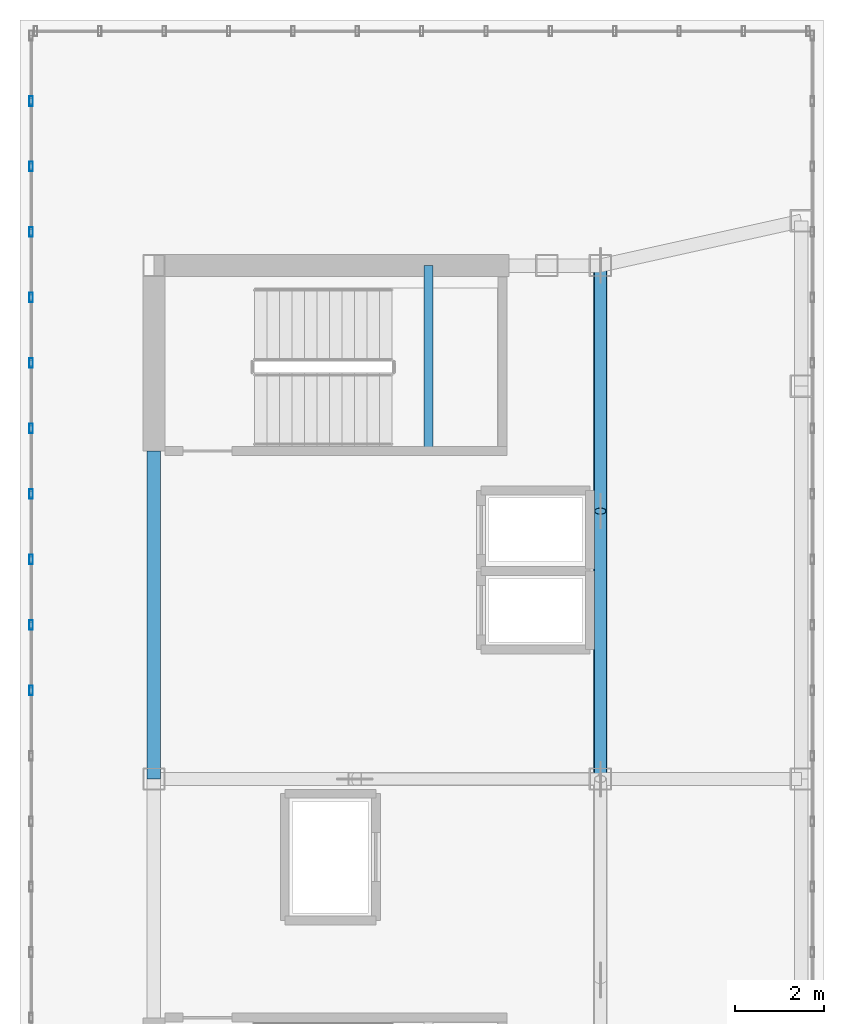
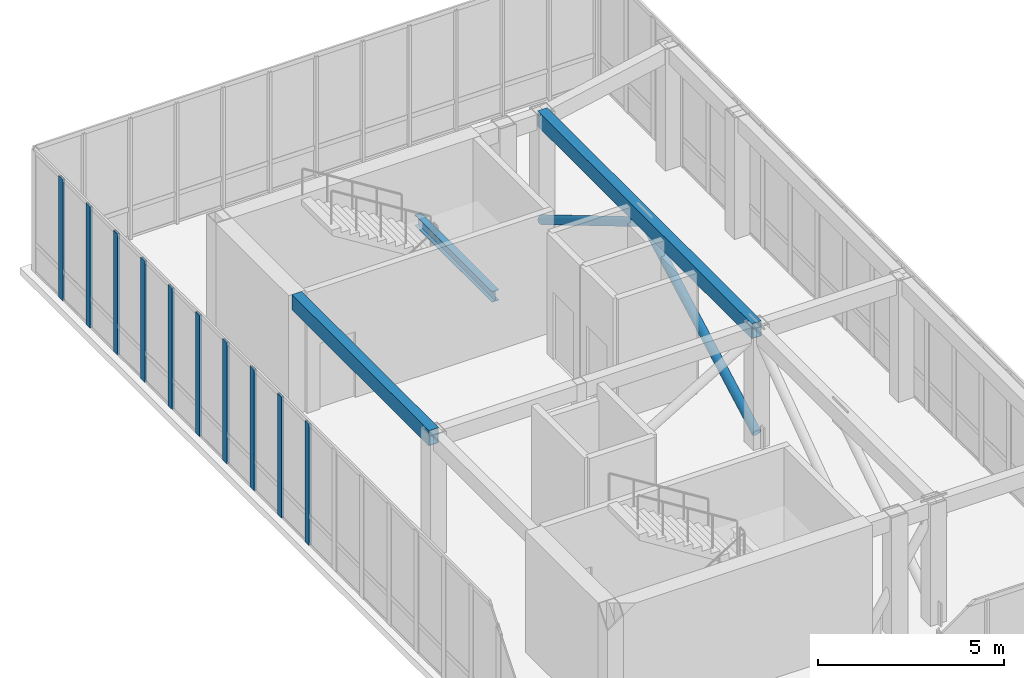
# One storey, part 8 of 13: 12 members, 3 beams, 1 element without a shape of its own.
"""IFC4 building model written with IfcOpenShell, lengths in metres."""

import ifcopenshell
import ifcopenshell.guid

model = None  # the IFC model being written
_history = None  # IfcOwnerHistory: only IFC2X3 demands one
_inside = {}  # id of a spatial element -> (the spatial element, [elements in it])
_under = {}  # id of a project, library or spatial element -> (it, [spatial elements below it])
_declared = {}  # id of a project -> (the project, [libraries it declares])
_typed = {}  # id of a type object -> (the type object, [elements of that type])
_made_of = {}  # id of a material, layer set ... -> (it, [elements and type objects made of it])


def new_model(schema):
    """Start an empty IFC model of exactly this schema.

    Asked for "IFC4X3", IfcOpenShell would pick the latest addendum, in which some entities
    have other attributes; the version numbers below select the first issue.
    IFC2X3 requires an IfcOwnerHistory on every rooted entity: one is made here for all.
    """
    global model, _history
    if schema == "IFC4X3":
        model = ifcopenshell.file(schema_version=(4, 3, 0, 0))
    else:
        model = ifcopenshell.file(schema=schema)
    _inside.clear()
    _under.clear()
    _declared.clear()
    _typed.clear()
    _made_of.clear()
    _history = None
    if model.schema == "IFC2X3":
        org = make("IfcOrganization", Name="unknown")
        user = make(
            "IfcPersonAndOrganization",
            ThePerson=make("IfcPerson", FamilyName="unknown"),
            TheOrganization=org,
        )
        app = make(
            "IfcApplication",
            ApplicationDeveloper=org,
            Version="unknown",
            ApplicationFullName="unknown",
            ApplicationIdentifier="unknown",
        )
        _history = make(
            "IfcOwnerHistory",
            OwningUser=user,
            OwningApplication=app,
            ChangeAction="ADDED",
            CreationDate=0,
        )
    return model


def make(cls, **values):
    """One entity of the class cls with the attributes given. An attribute that is None is left unset."""
    return model.create_entity(
        cls, **{name: value for name, value in values.items() if value is not None}
    )


def rooted(cls, **values):
    """An entity with a GlobalId (a new one), such as an element, a storey or a relation."""
    return make(cls, GlobalId=ifcopenshell.guid.new(), OwnerHistory=_history, **values)


def si_unit(unit_type, name, prefix=None):
    """IfcSIUnit, for example si_unit("LENGTHUNIT", "METRE", prefix="MILLI")."""
    return make("IfcSIUnit", UnitType=unit_type, Prefix=prefix, Name=name)


def assignment(units):
    """IfcUnitAssignment: the units of a project."""
    return None if units is None else make("IfcUnitAssignment", Units=units)


def point(xyz):
    """IfcCartesianPoint."""
    return None if xyz is None else make("IfcCartesianPoint", Coordinates=xyz)


def direction(xyz):
    """IfcDirection."""
    return None if xyz is None else make("IfcDirection", DirectionRatios=xyz)


def frame(location, z_axis=None, x_axis=None):
    """IfcAxis2Placement3D, a coordinate frame: its origin and axes. An axis left out is left unset."""
    return make(
        "IfcAxis2Placement3D",
        Location=point(location),
        Axis=direction(z_axis),
        RefDirection=direction(x_axis),
    )


def frame_2d(location, x_axis=None):
    """IfcAxis2Placement2D, a coordinate frame in the plane: its origin and x axis."""
    return make(
        "IfcAxis2Placement2D", Location=point(location), RefDirection=direction(x_axis)
    )


def origin():
    """The frame at (0, 0, 0) with its axes left unset."""
    return frame((0.0, 0.0, 0.0))


def origin_2d():
    """The frame at (0, 0) in the plane with its x axis left unset."""
    return frame_2d((0.0, 0.0))


def place(relative_to, where):
    """IfcLocalPlacement: puts the frame where relative to a parent placement (None: the world)."""
    return make(
        "IfcLocalPlacement", PlacementRelTo=relative_to, RelativePlacement=where
    )


def context(
    kind, dimensions, precision=None, world=None, true_north=None, identifier=None
):
    """IfcGeometricRepresentationContext, for example the 3D "Model" context."""
    return make(
        "IfcGeometricRepresentationContext",
        ContextIdentifier=identifier,
        ContextType=kind,
        CoordinateSpaceDimension=dimensions,
        Precision=precision,
        WorldCoordinateSystem=world,
        TrueNorth=true_north,
    )


def subcontext(parent, identifier, kind, view, scale=None):
    """IfcGeometricRepresentationSubContext, for example "Body" below "Model"."""
    return make(
        "IfcGeometricRepresentationSubContext",
        ContextIdentifier=identifier,
        ContextType=kind,
        ParentContext=parent,
        TargetScale=scale,
        TargetView=view,
    )


def project(units=None, contexts=None):
    """IfcProject with its units and contexts."""
    return rooted(
        "IfcProject",
        Name="project",
        RepresentationContexts=contexts,
        UnitsInContext=assignment(units),
    )


def spatial(cls, under=None, at=None, **own):
    """A site, building, storey or space (cls), placed at a placement, below another one or the project."""
    s = rooted(cls, ObjectPlacement=at, **own)
    if under is not None:
        _under.setdefault(under.id(), (under, []))[1].append(s)
    return s


def profile(cls, at=None, kind="AREA", **sizes):
    """A parametric profile (cls). Its sizes go by their IFC names, for example OverallWidth=200.0."""
    return make(cls, ProfileType=kind, Position=at, **sizes)


def hollow_rectangle(**sizes):
    """IfcRectangleHollowProfileDef."""
    return profile("IfcRectangleHollowProfileDef", **sizes)


def hollow_circle(**sizes):
    """IfcCircleHollowProfileDef."""
    return profile("IfcCircleHollowProfileDef", **sizes)


def i_section(**sizes):
    """IfcIShapeProfileDef."""
    return profile("IfcIShapeProfileDef", **sizes)


def extrude(swept, where, along, depth):
    """IfcExtrudedAreaSolid: the profile swept, set in the frame where, extruded along a direction by depth."""
    return make(
        "IfcExtrudedAreaSolid",
        SweptArea=swept,
        Position=where,
        ExtrudedDirection=direction(along),
        Depth=depth,
    )


def shape(context_of_items, identifier, shape_type, items):
    """IfcShapeRepresentation: the items that make up one representation, for example the "Body"."""
    return make(
        "IfcShapeRepresentation",
        ContextOfItems=context_of_items,
        RepresentationIdentifier=identifier,
        RepresentationType=shape_type,
        Items=items,
    )


def source(mapping_origin, context_of_items, identifier, shape_type, items):
    """IfcRepresentationMap: a shape defined once, which mapped items show again and again."""
    return make(
        "IfcRepresentationMap",
        MappingOrigin=mapping_origin,
        MappedRepresentation=shape(context_of_items, identifier, shape_type, items),
    )


def transform(
    local_origin,
    x_axis=None,
    y_axis=None,
    z_axis=None,
    scale=None,
    scale2=None,
    scale3=None,
    uniform=True,
):
    """IfcCartesianTransformationOperator3D, or its non-uniform kind. x_axis, y_axis, z_axis: its Axis1, 2, 3."""
    if uniform:
        return make(
            "IfcCartesianTransformationOperator3D",
            Axis1=direction(x_axis),
            Axis2=direction(y_axis),
            LocalOrigin=point(local_origin),
            Scale=scale,
            Axis3=direction(z_axis),
        )
    return make(
        "IfcCartesianTransformationOperator3DnonUniform",
        Axis1=direction(x_axis),
        Axis2=direction(y_axis),
        LocalOrigin=point(local_origin),
        Scale=scale,
        Axis3=direction(z_axis),
        Scale2=scale2,
        Scale3=scale3,
    )


def mapped(mapping_source, mapping_target):
    """IfcMappedItem: shows the shape of a source again, moved by a transform."""
    return make(
        "IfcMappedItem", MappingSource=mapping_source, MappingTarget=mapping_target
    )


def material(Name=None, Category=None):
    """IfcMaterial."""
    return make("IfcMaterial", Name=Name, Category=Category)


def layer(
    of_material, thickness, ventilated=None, Name=None, Category=None, Priority=None
):
    """IfcMaterialLayer: one layer of a wall or slab, of a material (None: an air gap)."""
    return make(
        "IfcMaterialLayer",
        Material=of_material,
        LayerThickness=thickness,
        IsVentilated=ventilated,
        Name=Name,
        Category=Category,
        Priority=Priority,
    )


def layer_set(layers, Name=None):
    """IfcMaterialLayerSet."""
    return make("IfcMaterialLayerSet", MaterialLayers=layers, LayerSetName=Name)


def material_profile(
    of_material, cross_section, Name=None, Category=None, Priority=None
):
    """IfcMaterialProfile: a cross section and its material."""
    return make(
        "IfcMaterialProfile",
        Name=Name,
        Material=of_material,
        Profile=cross_section,
        Priority=Priority,
        Category=Category,
    )


def profile_set(profiles, Name=None, composite=None):
    """IfcMaterialProfileSet."""
    return make(
        "IfcMaterialProfileSet",
        Name=Name,
        MaterialProfiles=profiles,
        CompositeProfile=composite,
    )


def made_of(thing, what):
    """Note that an element or type object is made of a material, layer set ...; save() writes the relation."""
    if what is not None:
        _made_of.setdefault(what.id(), (what, []))[1].append(thing)
    return thing


def type_object(cls, material=None, **own):
    """A type object (cls), such as IfcWallType, which elements share."""
    return made_of(rooted(cls, **own), material)


def element(
    cls,
    number,
    at=None,
    inside=None,
    cuts=None,
    type_object=None,
    material=None,
    context=None,
    identifier="Body",
    shape_type=None,
    held_by="IfcProductDefinitionShape",
    body=None,
    shapes=None,
    **own,
):
    """One element of the class cls, such as IfcWall. Its Tag is "e" and its number.

    at: its placement. inside: the storey or other place that contains it. cuts: it is an
    opening in that element (IfcRelVoidsElement). A single representation is given by context,
    identifier, shape_type and body (its items); several are given by shapes. held_by: the class
    of the entity that holds the representations. save() writes the other relations.
    """
    e = rooted(cls, Tag="e%d" % number, ObjectPlacement=at, **own)
    if body is not None:
        shapes = [shape(context, identifier, shape_type, body)]
    if shapes is not None:
        e.Representation = make(held_by, Representations=shapes)
    if inside is not None:
        _inside.setdefault(inside.id(), (inside, []))[1].append(e)
    if cuts is not None:
        rooted(
            "IfcRelVoidsElement", RelatingBuildingElement=cuts, RelatedOpeningElement=e
        )
    if type_object is not None:
        _typed.setdefault(type_object.id(), (type_object, []))[1].append(e)
    return made_of(e, material)


def aggregate(whole, parts):
    """IfcRelAggregates: a whole, such as a stair, and the parts it consists of."""
    return rooted("IfcRelAggregates", RelatingObject=whole, RelatedObjects=parts)


def save(model, path):
    """Write the relations noted so far, then the file.

    IfcRelAggregates (storeys below a building ...), IfcRelContainedInSpatialStructure (elements
    in a storey), IfcRelDefinesByType, IfcRelAssociatesMaterial and IfcRelDeclares: one each for
    every whole, place, type object, material and project.
    """
    for whole, parts in _under.values():
        aggregate(whole, parts)
    for where, things in _inside.values():
        rooted(
            "IfcRelContainedInSpatialStructure",
            RelatedElements=things,
            RelatingStructure=where,
        )
    for kind, things in _typed.values():
        rooted("IfcRelDefinesByType", RelatedObjects=things, RelatingType=kind)
    for what, things in _made_of.values():
        rooted("IfcRelAssociatesMaterial", RelatedObjects=things, RelatingMaterial=what)
    for by, libraries in _declared.values():
        rooted("IfcRelDeclares", RelatingContext=by, RelatedDefinitions=libraries)
    model.write(path)


model = new_model("IFC4")

# Units and contexts
model_context = context("Model", 3, precision=1e-05, world=origin(), true_north=direction((0.0, 1.0)))
body_context = subcontext(model_context, "Body", "Model", "MODEL_VIEW")
ifc_project = project(units=[si_unit("LENGTHUNIT", "METRE"), si_unit("AREAUNIT", "SQUARE_METRE"), si_unit("VOLUMEUNIT", "CUBIC_METRE"), si_unit("PLANEANGLEUNIT", "RADIAN"), si_unit("MASSUNIT", "GRAM", prefix="KILO")], contexts=[model_context])

# Site, building, storey
site_placement = place(None, origin())
site = spatial("IfcSite", under=ifc_project, at=site_placement, CompositionType="ELEMENT")
building_placement = place(site_placement, origin())
building = spatial("IfcBuilding", under=site, at=building_placement, Name="Kharzan Plaza Tower", CompositionType="ELEMENT")
storey_placement = place(building_placement, frame((0.0, 0.0, 285.60009765625)))
storey = spatial("IfcBuildingStorey", under=building, at=storey_placement, Name="L77-CROWN", CompositionType="ELEMENT", Elevation=285.60009765625)

# Beams
ifc_material_1 = material(Name="Steel S355", Category="steel")
ifc_material_profile_1 = material_profile(ifc_material_1, i_section(OverallWidth=0.205078125, OverallDepth=0.35400390625, WebThickness=0.009521484375, FlangeThickness=0.016845703125, at=origin_2d()), Name="W360x79")
ifc_profile_set_1 = profile_set([ifc_material_profile_1], Name="Steel S355")
beam_type_1 = type_object("IfcBeamType", Name="BM-LNT360", PredefinedType="LINTEL", material=ifc_profile_set_1)
shared_shape_1 = source(origin(), body_context, "Body", "SweptSolid", [
    extrude(i_section(OverallWidth=0.205078125, OverallDepth=0.35400390625, WebThickness=0.009521484375, FlangeThickness=0.016845703125, at=origin_2d()), origin(), (0.0, 0.0, 1.0), 4.155029296875),
])
beam_1_placement = place(storey_placement, frame((10.64990234375, 25.344970703125, 1.722900390625), z_axis=(0.0, 1.0, 0.0), x_axis=(-1.0, 0.0, 0.0)))
element("IfcBeam", 1, at=beam_1_placement, inside=storey, type_object=beam_type_1, Name="L77-CROWN Stair ST-2 Half-Landing Beam", PredefinedType="LINTEL", context=body_context, shape_type="MappedRepresentation", body=[
    mapped(shared_shape_1, transform((0.0, 0.0, 0.0), x_axis=(1.0, 0.0, 0.0), y_axis=(0.0, 1.0, 0.0), z_axis=(0.0, 0.0, 1.0))),
])
ifc_material_profile_2 = material_profile(ifc_material_1, hollow_rectangle(XDim=0.300048828125, YDim=0.5, WallThickness=0.02001953125, at=origin_2d()), Name="RHS500x300x20")
ifc_profile_set_2 = profile_set([ifc_material_profile_2], Name="Steel S355")
beam_type_2 = type_object("IfcBeamType", Name="BM-CRN500", PredefinedType="BEAM", material=ifc_profile_set_2)
shared_shape_2 = source(origin(), body_context, "Body", "SweptSolid", [
    extrude(hollow_rectangle(XDim=0.300048828125, YDim=0.5, WallThickness=0.02001953125, at=origin_2d()), origin(), (0.0, 0.0, 1.0), 11.5),
])
beam_2_placement = place(storey_placement, frame((14.5, 18.0, 3.719970703125), z_axis=(0.0, 1.0, 0.0), x_axis=(-1.0, 0.0, 0.0)))
element("IfcBeam", 2, at=beam_2_placement, inside=storey, type_object=beam_type_2, Name="L77-CROWN CROWN FRAME Lantern Ring Beam CRB-M2", PredefinedType="BEAM", context=body_context, shape_type="MappedRepresentation", body=[
    mapped(shared_shape_2, transform((0.0, 0.0, 0.0), x_axis=(1.0, 0.0, 0.0), y_axis=(0.0, 1.0, 0.0), z_axis=(0.0, 0.0, 1.0))),
])
shared_shape_3 = source(origin(), body_context, "Body", "SweptSolid", [
    extrude(hollow_rectangle(XDim=0.300048828125, YDim=0.5, WallThickness=0.02001953125, at=origin_2d()), origin(), (0.0, 0.0, 1.0), 7.35009765625),
])
beam_3_placement = place(storey_placement, frame((4.5, 18.0, 3.719970703125), z_axis=(0.0, 1.0, 0.0), x_axis=(-1.0, 0.0, 0.0)))
element("IfcBeam", 3, at=beam_3_placement, inside=storey, type_object=beam_type_2, Name="L77-CROWN CROWN FRAME Lantern Ring Beam CRB-W2", PredefinedType="BEAM", context=body_context, shape_type="MappedRepresentation", body=[
    mapped(shared_shape_3, transform((0.0, 0.0, 0.0), x_axis=(1.0, 0.0, 0.0), y_axis=(0.0, 1.0, 0.0), z_axis=(0.0, 0.0, 1.0))),
])

# Members
ifc_material_profile_3 = material_profile(ifc_material_1, hollow_circle(Radius=0.136474609375, WallThickness=0.010009765625, at=origin_2d()), Name="CHS273x10")
ifc_profile_set_3 = profile_set([ifc_material_profile_3], Name="Steel S355")
member_type_1 = type_object("IfcMemberType", Name="MEM-CRN-DIAG", PredefinedType="BRACE", material=ifc_profile_set_3)
shared_shape_4 = source(origin(), body_context, "Body", "SweptSolid", [
    extrude(hollow_circle(Radius=0.136474609375, WallThickness=0.010009765625, at=origin_2d()), origin(), (0.0, 0.0, 1.0), 6.833251953125),
])
member_1_placement = place(storey_placement, frame((14.5, 18.0, 0.349853515625), z_axis=(0.0, 0.878062100793, 0.478546703207), x_axis=(-1.0, 0.0, 0.0)))
element("IfcMember", 4, at=member_1_placement, inside=storey, type_object=member_type_1, Name="L77-CROWN CROWN FRAME Diagonal Wind Brace CRD-E1", PredefinedType="BRACE", context=body_context, shape_type="MappedRepresentation", body=[
    mapped(shared_shape_4, transform((0.0, 0.0, 0.0), x_axis=(1.0, 0.0, 0.0), y_axis=(0.0, 1.0, 0.0), z_axis=(0.0, 0.0, 1.0))),
])
shared_shape_5 = source(origin(), body_context, "Body", "SweptSolid", [
    extrude(hollow_circle(Radius=0.136474609375, WallThickness=0.010009765625, at=origin_2d()), origin(), (0.0, 0.0, 1.0), 6.398681640625),
])
member_2_placement = place(storey_placement, frame((14.5, 29.5, 0.349853515625), z_axis=(0.0, -0.859553101499, 0.511046441827), x_axis=(1.0, 0.0, 0.0)))
element("IfcMember", 5, at=member_2_placement, inside=storey, type_object=member_type_1, Name="L77-CROWN CROWN FRAME Diagonal Wind Brace CRD-N1", PredefinedType="BRACE", context=body_context, shape_type="MappedRepresentation", body=[
    mapped(shared_shape_5, transform((0.0, 0.0, 0.0), x_axis=(1.0, 0.0, 0.0), y_axis=(0.0, 1.0, 0.0), z_axis=(0.0, 0.0, 1.0))),
])

# Curtain wall, members
ifc_material_2 = material(Name="Unitised Bronze-Anodized Aluminium and Low-E Glass", Category="aluminium")
ifc_layer = layer(ifc_material_2, 0.199951171875)
ifc_layer_set = layer_set([ifc_layer], Name="Unitised Bronze-Anodized Aluminium and Low-E Glass")
curtain_wall_type = type_object("IfcCurtainWallType", Name="CW-LANTERN-6", PredefinedType="NOTDEFINED", material=ifc_layer_set)
curtain_wall_placement = place(storey_placement, origin())
curtain_wall = element("IfcCurtainWall", 6, at=curtain_wall_placement, inside=storey, type_object=curtain_wall_type, Name="L77-CROWN Lantern Crown Illuminated Curtain Wall 4", PredefinedType="NOTDEFINED")
ifc_material_3 = material(Name="Anodized Bronze Aluminium", Category="aluminium")
ifc_material_profile_4 = material_profile(ifc_material_3, hollow_rectangle(XDim=0.074951171875, YDim=0.219970703125, WallThickness=0.00390625, at=origin_2d()), Name="ALU-M220x75x4")
ifc_profile_set_4 = profile_set([ifc_material_profile_4], Name="Anodized Bronze Aluminium")
member_type_2 = type_object("IfcMemberType", Name="MEM-CW-MUL200", PredefinedType="MULLION", material=ifc_profile_set_4)
shared_shape_6 = source(origin(), body_context, "Body", "SweptSolid", [
    extrude(hollow_rectangle(XDim=0.074951171875, YDim=0.219970703125, WallThickness=0.00390625, at=origin_2d()), origin(), (0.0, 0.0, 1.0), 3.969970703125),
])
member_3_placement = place(storey_placement, frame((1.75, 33.183349609375, 0.0), z_axis=(0.0, 0.0, 1.0), x_axis=(1.0, 0.0, 0.0)))
member_3 = element("IfcMember", 7, at=member_3_placement, type_object=member_type_2, Name="L77-CROWN Curtain-Wall Mullion 01", PredefinedType="MULLION", context=body_context, shape_type="MappedRepresentation", body=[
    mapped(shared_shape_6, transform((0.0, 0.0, 0.0), x_axis=(1.0, 0.0, 0.0), y_axis=(0.0, 1.0, 0.0), z_axis=(0.0, 0.0, 1.0))),
])
member_4_placement = place(storey_placement, frame((1.75, 31.716796875, 0.0), z_axis=(0.0, 0.0, 1.0), x_axis=(1.0, 0.0, 0.0)))
member_4 = element("IfcMember", 8, at=member_4_placement, type_object=member_type_2, Name="L77-CROWN Curtain-Wall Mullion 02", PredefinedType="MULLION", context=body_context, shape_type="MappedRepresentation", body=[
    mapped(shared_shape_6, transform((0.0, 0.0, 0.0), x_axis=(1.0, 0.0, 0.0), y_axis=(0.0, 1.0, 0.0), z_axis=(0.0, 0.0, 1.0))),
])
member_5_placement = place(storey_placement, frame((1.75, 30.25, 0.0), z_axis=(0.0, 0.0, 1.0), x_axis=(1.0, 0.0, 0.0)))
member_5 = element("IfcMember", 9, at=member_5_placement, type_object=member_type_2, Name="L77-CROWN Curtain-Wall Mullion 03", PredefinedType="MULLION", context=body_context, shape_type="MappedRepresentation", body=[
    mapped(shared_shape_6, transform((0.0, 0.0, 0.0), x_axis=(1.0, 0.0, 0.0), y_axis=(0.0, 1.0, 0.0), z_axis=(0.0, 0.0, 1.0))),
])
member_6_placement = place(storey_placement, frame((1.75, 28.783203125, 0.0), z_axis=(0.0, 0.0, 1.0), x_axis=(1.0, 0.0, 0.0)))
member_6 = element("IfcMember", 10, at=member_6_placement, type_object=member_type_2, Name="L77-CROWN Curtain-Wall Mullion 04", PredefinedType="MULLION", context=body_context, shape_type="MappedRepresentation", body=[
    mapped(shared_shape_6, transform((0.0, 0.0, 0.0), x_axis=(1.0, 0.0, 0.0), y_axis=(0.0, 1.0, 0.0), z_axis=(0.0, 0.0, 1.0))),
])
member_7_placement = place(storey_placement, frame((1.75, 27.316650390625, 0.0), z_axis=(0.0, 0.0, 1.0), x_axis=(1.0, 0.0, 0.0)))
member_7 = element("IfcMember", 11, at=member_7_placement, type_object=member_type_2, Name="L77-CROWN Curtain-Wall Mullion 05", PredefinedType="MULLION", context=body_context, shape_type="MappedRepresentation", body=[
    mapped(shared_shape_6, transform((0.0, 0.0, 0.0), x_axis=(1.0, 0.0, 0.0), y_axis=(0.0, 1.0, 0.0), z_axis=(0.0, 0.0, 1.0))),
])
member_8_placement = place(storey_placement, frame((1.75, 25.85009765625, 0.0), z_axis=(0.0, 0.0, 1.0), x_axis=(1.0, 0.0, 0.0)))
member_8 = element("IfcMember", 12, at=member_8_placement, type_object=member_type_2, Name="L77-CROWN Curtain-Wall Mullion 06", PredefinedType="MULLION", context=body_context, shape_type="MappedRepresentation", body=[
    mapped(shared_shape_6, transform((0.0, 0.0, 0.0), x_axis=(1.0, 0.0, 0.0), y_axis=(0.0, 1.0, 0.0), z_axis=(0.0, 0.0, 1.0))),
])
member_9_placement = place(storey_placement, frame((1.75, 24.38330078125, 0.0), z_axis=(0.0, 0.0, 1.0), x_axis=(1.0, 0.0, 0.0)))
member_9 = element("IfcMember", 13, at=member_9_placement, type_object=member_type_2, Name="L77-CROWN Curtain-Wall Mullion 07", PredefinedType="MULLION", context=body_context, shape_type="MappedRepresentation", body=[
    mapped(shared_shape_6, transform((0.0, 0.0, 0.0), x_axis=(1.0, 0.0, 0.0), y_axis=(0.0, 1.0, 0.0), z_axis=(0.0, 0.0, 1.0))),
])
member_10_placement = place(storey_placement, frame((1.75, 22.916748046875, 0.0), z_axis=(0.0, 0.0, 1.0), x_axis=(1.0, 0.0, 0.0)))
member_10 = element("IfcMember", 14, at=member_10_placement, type_object=member_type_2, Name="L77-CROWN Curtain-Wall Mullion 08", PredefinedType="MULLION", context=body_context, shape_type="MappedRepresentation", body=[
    mapped(shared_shape_6, transform((0.0, 0.0, 0.0), x_axis=(1.0, 0.0, 0.0), y_axis=(0.0, 1.0, 0.0), z_axis=(0.0, 0.0, 1.0))),
])
member_11_placement = place(storey_placement, frame((1.75, 21.449951171875, 0.0), z_axis=(0.0, 0.0, 1.0), x_axis=(1.0, 0.0, 0.0)))
member_11 = element("IfcMember", 15, at=member_11_placement, type_object=member_type_2, Name="L77-CROWN Curtain-Wall Mullion 09", PredefinedType="MULLION", context=body_context, shape_type="MappedRepresentation", body=[
    mapped(shared_shape_6, transform((0.0, 0.0, 0.0), x_axis=(1.0, 0.0, 0.0), y_axis=(0.0, 1.0, 0.0), z_axis=(0.0, 0.0, 1.0))),
])
member_12_placement = place(storey_placement, frame((1.75, 19.9833984375, 0.0), z_axis=(0.0, 0.0, 1.0), x_axis=(1.0, 0.0, 0.0)))
member_12 = element("IfcMember", 16, at=member_12_placement, type_object=member_type_2, Name="L77-CROWN Curtain-Wall Mullion 10", PredefinedType="MULLION", context=body_context, shape_type="MappedRepresentation", body=[
    mapped(shared_shape_6, transform((0.0, 0.0, 0.0), x_axis=(1.0, 0.0, 0.0), y_axis=(0.0, 1.0, 0.0), z_axis=(0.0, 0.0, 1.0))),
])
aggregate(curtain_wall, [member_3, member_4, member_5, member_6, member_7, member_8, member_9, member_10, member_11, member_12])

save(model, "model.ifc")
